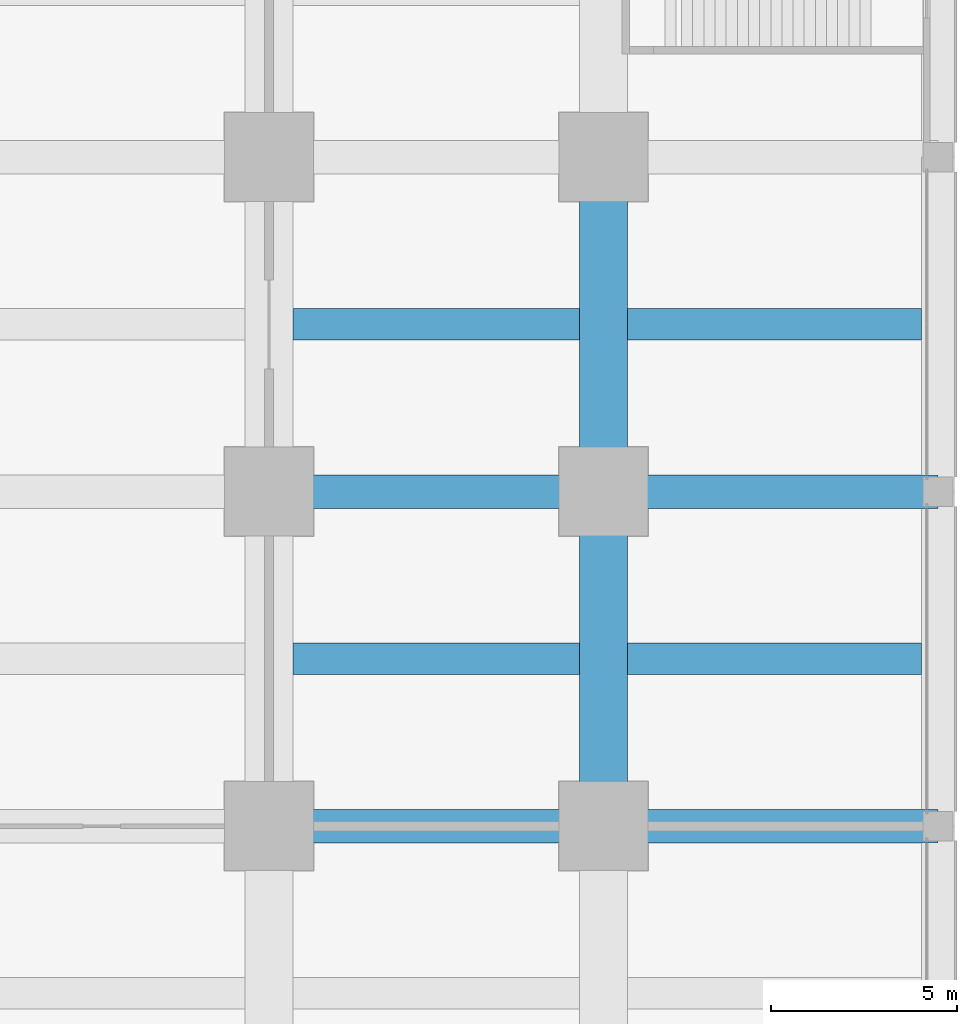
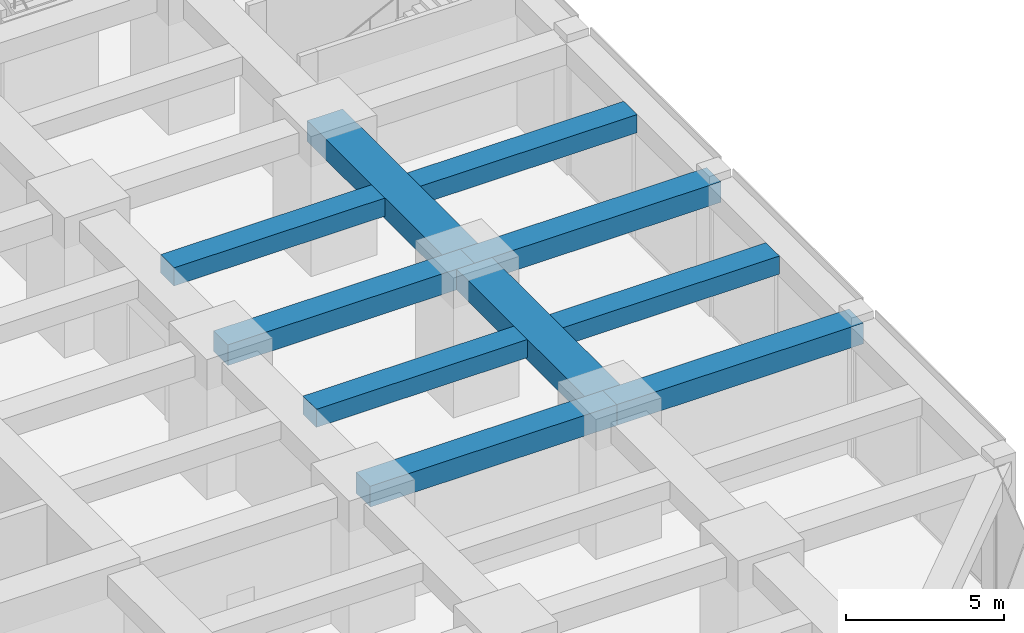
# One storey, part 33 of 45: 10 beams.
"""IFC4 building model written with IfcOpenShell, lengths in metres."""

from ifc_helpers import new_model, si_unit, direction, frame, origin, origin_2d, place, context, subcontext, project, spatial, rectangle, extrude, material, material_profile, profile_set, type_object, element, save


model = new_model("IFC4")

# Units and contexts
model_context = context("Model", 3, precision=1e-05, world=origin(), true_north=direction((0.0, 1.0)))
body_context = subcontext(model_context, "Body", "Model", "MODEL_VIEW")
ifc_project = project(units=[si_unit("LENGTHUNIT", "METRE"), si_unit("AREAUNIT", "SQUARE_METRE"), si_unit("VOLUMEUNIT", "CUBIC_METRE"), si_unit("PLANEANGLEUNIT", "RADIAN"), si_unit("MASSUNIT", "GRAM", prefix="KILO")], contexts=[model_context])

# Site, building, storey
site_placement = place(None, origin())
site = spatial("IfcSite", under=ifc_project, at=site_placement, CompositionType="ELEMENT")
building_placement = place(site_placement, origin())
building = spatial("IfcBuilding", under=site, at=building_placement, Name="Zorevar Civic Tower", CompositionType="ELEMENT")
storey_placement = place(building_placement, frame((0.0, 0.0, 5.39990234375)))
storey = spatial("IfcBuildingStorey", under=building, at=storey_placement, Name="L01", CompositionType="ELEMENT", Elevation=5.39990234375)

# Beams
ifc_material_1 = material(Name="Concrete C50/60", Category="concrete")
ifc_material_profile_1 = material_profile(ifc_material_1, rectangle(XDim=1.300048828125, YDim=0.800048828125, at=origin_2d()), Name="RC 1300x800")
ifc_profile_set_1 = profile_set([ifc_material_profile_1], Name="Concrete C50/60")
beam_type_1 = type_object("IfcBeamType", Name="Beam RC 1300x800", PredefinedType="BEAM", material=ifc_profile_set_1)
for number, where, z_axis, x_axis, name in (
    (1, (63.0, 18.0, 4.7001953125), (0.0, 1.0, 0.0), (-1.0, 0.0, 0.0), "Girder L02"),
    (2, (63.0, 27.0, 4.7001953125), (0.0, 1.0, 0.0), (-1.0, 0.0, 0.0), "Girder L02"),
):
    element("IfcBeam", number, at=place(storey_placement, frame(where, z_axis=z_axis, x_axis=x_axis)), inside=storey, type_object=beam_type_1, Name=name, PredefinedType="BEAM", context=body_context, shape_type="SweptSolid", body=[
        extrude(rectangle(XDim=1.300048828125, YDim=0.800048828125, at=origin_2d()), origin(), (0.0, 0.0, 1.0), 9.0),
    ])
ifc_material_2 = material(Name="Concrete C50/60", Category="concrete")
ifc_material_profile_2 = material_profile(ifc_material_2, rectangle(XDim=0.85009765625, YDim=0.699951171875, at=origin_2d()), Name="RC 850x700")
ifc_profile_set_2 = profile_set([ifc_material_profile_2], Name="Concrete C50/60")
beam_type_2 = type_object("IfcBeamType", Name="Beam RC 850x700", PredefinedType="BEAM", material=ifc_profile_set_2)
beam_1_placement = place(storey_placement, frame((54.64990234375, 22.5, 4.75), z_axis=(1.0, 0.0, 0.0), x_axis=(0.0, 1.0, 0.0)))
element("IfcBeam", 3, at=beam_1_placement, inside=storey, type_object=beam_type_2, Name="Secondary beam L02", PredefinedType="BEAM", context=body_context, shape_type="SweptSolid", body=[
    extrude(rectangle(XDim=0.85009765625, YDim=0.699951171875, at=origin_2d()), origin(), (0.0, 0.0, 1.0), 7.7001953125),
])
beam_2_placement = place(storey_placement, frame((63.64990234375, 22.5, 4.75), z_axis=(1.0, 0.0, 0.0), x_axis=(0.0, 1.0, 0.0)))
element("IfcBeam", 4, at=beam_2_placement, inside=storey, type_object=beam_type_2, Name="Secondary beam L02", PredefinedType="BEAM", context=body_context, shape_type="SweptSolid", body=[
    extrude(rectangle(XDim=0.85009765625, YDim=0.699951171875, at=origin_2d()), origin(), (0.0, 0.0, 1.0), 7.900146484375),
])
beam_3_placement = place(storey_placement, frame((54.64990234375, 31.5, 4.75), z_axis=(1.0, 0.0, 0.0), x_axis=(0.0, 1.0, 0.0)))
element("IfcBeam", 5, at=beam_3_placement, inside=storey, type_object=beam_type_2, Name="Secondary beam L02", PredefinedType="BEAM", context=body_context, shape_type="SweptSolid", body=[
    extrude(rectangle(XDim=0.85009765625, YDim=0.699951171875, at=origin_2d()), origin(), (0.0, 0.0, 1.0), 7.7001953125),
])
beam_4_placement = place(storey_placement, frame((63.64990234375, 31.5, 4.75), z_axis=(1.0, 0.0, 0.0), x_axis=(0.0, 1.0, 0.0)))
element("IfcBeam", 6, at=beam_4_placement, inside=storey, type_object=beam_type_2, Name="Secondary beam L02", PredefinedType="BEAM", context=body_context, shape_type="SweptSolid", body=[
    extrude(rectangle(XDim=0.85009765625, YDim=0.699951171875, at=origin_2d()), origin(), (0.0, 0.0, 1.0), 7.900146484375),
])
ifc_material_3 = material(Name="Concrete C50/60", Category="concrete")
ifc_material_profile_3 = material_profile(ifc_material_3, rectangle(XDim=0.89990234375, YDim=0.800048828125, at=origin_2d()), Name="RC 900x800")
ifc_profile_set_3 = profile_set([ifc_material_profile_3], Name="Concrete C50/60")
beam_type_3 = type_object("IfcBeamType", Name="Beam RC 900x800", PredefinedType="BEAM", material=ifc_profile_set_3)
for number, where, z_axis, x_axis, name in (
    (7, (54.0, 18.0, 4.7001953125), (1.0, 0.0, 0.0), (0.0, 1.0, 0.0), "Girder L02"),
    (8, (63.0, 18.0, 4.7001953125), (1.0, 0.0, 0.0), (0.0, 1.0, 0.0), "Girder L02"),
    (9, (54.0, 27.0, 4.7001953125), (1.0, 0.0, 0.0), (0.0, 1.0, 0.0), "Girder L02"),
    (10, (63.0, 27.0, 4.7001953125), (1.0, 0.0, 0.0), (0.0, 1.0, 0.0), "Girder L02"),
):
    element("IfcBeam", number, at=place(storey_placement, frame(where, z_axis=z_axis, x_axis=x_axis)), inside=storey, type_object=beam_type_3, Name=name, PredefinedType="BEAM", context=body_context, shape_type="SweptSolid", body=[
        extrude(rectangle(XDim=0.89990234375, YDim=0.800048828125, at=origin_2d()), origin(), (0.0, 0.0, 1.0), 9.0),
    ])

save(model, "model.ifc")
